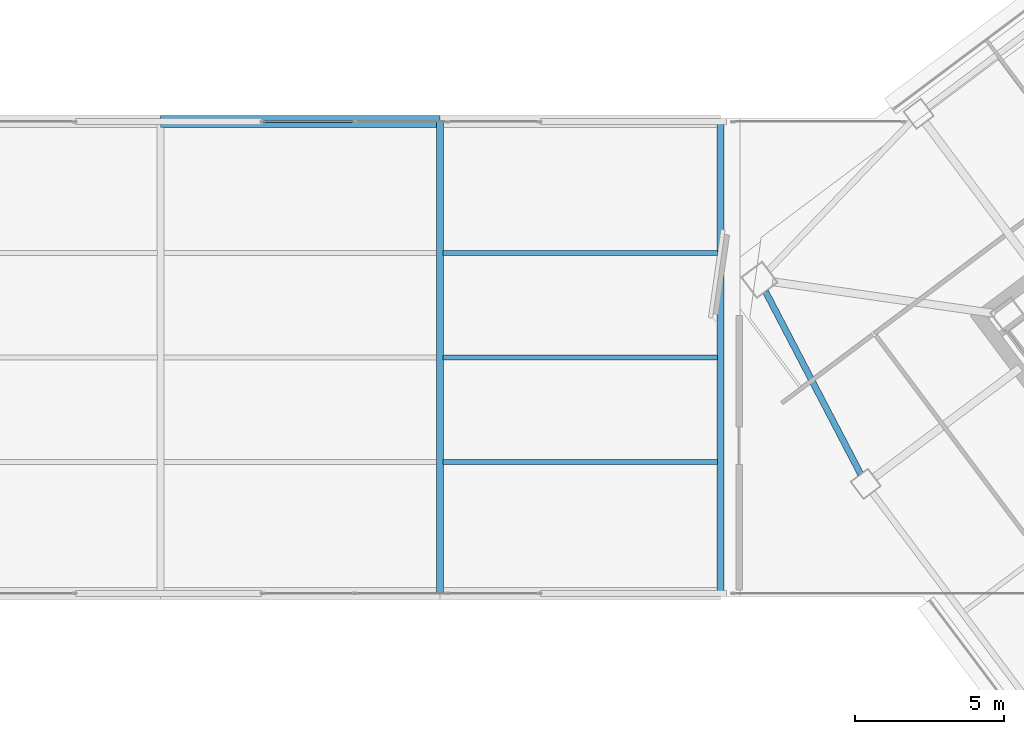
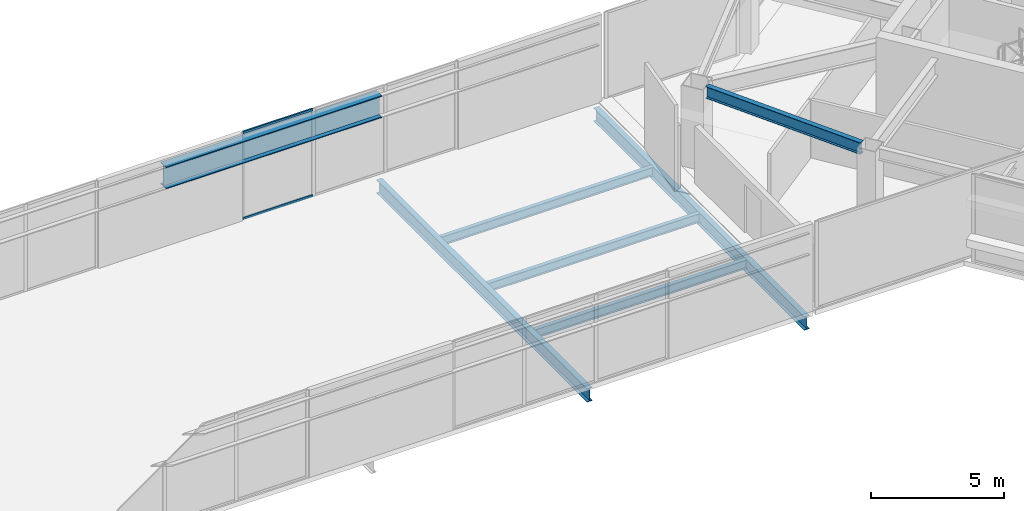
# One storey, part 25 of 51: 7 beams, 2 members, 1 element without a shape of its own.
"""IFC4 building model written with IfcOpenShell, lengths in metres."""

from ifc_helpers import new_model, si_unit, direction, frame, origin, origin_2d, place, context, subcontext, project, spatial, hollow_rectangle, i_section, extrude, material, material_profile, profile_set, type_object, element, aggregate, save


model = new_model("IFC4")

# Units and contexts
model_context = context("Model", 3, precision=1e-05, world=origin(), true_north=direction((0.0, 1.0)))
body_context = subcontext(model_context, "Body", "Model", "MODEL_VIEW")
ifc_project = project(units=[si_unit("LENGTHUNIT", "METRE"), si_unit("AREAUNIT", "SQUARE_METRE"), si_unit("VOLUMEUNIT", "CUBIC_METRE"), si_unit("PLANEANGLEUNIT", "RADIAN"), si_unit("MASSUNIT", "GRAM", prefix="KILO")], contexts=[model_context])

# Site, building, storey
site_placement = place(None, origin())
site = spatial("IfcSite", under=ifc_project, at=site_placement, CompositionType="ELEMENT")
building_placement = place(site_placement, origin())
building = spatial("IfcBuilding", under=site, at=building_placement, Name="Tashvorn Skyway Center", CompositionType="ELEMENT")
storey_placement = place(building_placement, frame((0.0, 0.0, 259.39990234375)))
storey = spatial("IfcBuildingStorey", under=building, at=storey_placement, Name="L70", CompositionType="ELEMENT", Elevation=259.39990234375)

# Beams
ifc_material_1 = material(Name="Steel ASTM A992 Grade 50", Category="steel")
ifc_material_profile_1 = material_profile(ifc_material_1, i_section(OverallWidth=0.22998046875, OverallDepth=0.616943359375, WebThickness=0.01318359375, FlangeThickness=0.022216796875, at=origin_2d()), Name="W24X94")
ifc_profile_set_1 = profile_set([ifc_material_profile_1], Name="Steel ASTM A992 Grade 50")
beam_type_1 = type_object("IfcBeamType", Name="BM-BEAM-W24X94", PredefinedType="BEAM", material=ifc_profile_set_1)
for number, where, z_axis, x_axis, name in (
    (1, (85.10009765625, 24.10009765625, -0.5283203125), (0.0, 1.0, 0.0), (-1.0, 0.0, 0.0), "Sky-Park L70 Transverse Floor Beam 09"),
    (2, (94.5, 24.10009765625, -0.5283203125), (0.0, 1.0, 0.0), (-1.0, 0.0, 0.0), "Sky-Park L70 Transverse Floor Beam 10"),
):
    element("IfcBeam", number, at=place(storey_placement, frame(where, z_axis=z_axis, x_axis=x_axis)), inside=storey, type_object=beam_type_1, Name=name, PredefinedType="BEAM", context=body_context, shape_type="SweptSolid", body=[
        extrude(i_section(OverallWidth=0.22998046875, OverallDepth=0.616943359375, WebThickness=0.01318359375, FlangeThickness=0.022216796875, at=origin_2d()), origin(), (0.0, 0.0, 1.0), 15.7998046875),
    ])
ifc_material_2 = material(Name="Steel ASTM A913 Grade 65", Category="steel")
ifc_material_profile_2 = material_profile(ifc_material_2, i_section(OverallWidth=0.40087890625, OverallDepth=1.010986328125, WebThickness=0.023681640625, FlangeThickness=0.0419921875, at=origin_2d()), Name="W40X297")
ifc_profile_set_2 = profile_set([ifc_material_profile_2], Name="Steel ASTM A913 Grade 65")
beam_type_2 = type_object("IfcBeamType", Name="BM-BEAM-W40X297", PredefinedType="BEAM", material=ifc_profile_set_2)
beam_1_placement = place(storey_placement, frame((75.75, 39.89990234375, 3.194580078125), z_axis=(1.0, 0.0, 0.0), x_axis=(0.0, 1.0, 0.0)))
element("IfcBeam", 3, at=beam_1_placement, inside=storey, type_object=beam_type_2, Name="Sky-Park Truss 2 Top Chord Panel 08", PredefinedType="BEAM", context=body_context, shape_type="SweptSolid", body=[
    extrude(i_section(OverallWidth=0.40087890625, OverallDepth=1.010986328125, WebThickness=0.023681640625, FlangeThickness=0.0419921875, at=origin_2d()), origin(), (0.0, 0.0, 1.0), 9.35009765625),
])
ifc_material_profile_3 = material_profile(ifc_material_1, i_section(OverallWidth=0.177978515625, OverallDepth=0.406005859375, WebThickness=0.0078125, FlangeThickness=0.0126953125, at=origin_2d()), Name="W16X40")
ifc_profile_set_3 = profile_set([ifc_material_profile_3], Name="Steel ASTM A992 Grade 50")
beam_type_3 = type_object("IfcBeamType", Name="BM-JOIST-W16X40", PredefinedType="JOIST", material=ifc_profile_set_3)
for number, where, z_axis, x_axis, name in (
    (4, (85.20703125, 28.5, -0.4228515625), (1.0, 0.0, 0.0), (0.0, 1.0, 0.0), "Sky-Park L70 Longitudinal Joist 09-1"),
    (5, (85.20703125, 32.0, -0.4228515625), (1.0, 0.0, 0.0), (0.0, 1.0, 0.0), "Sky-Park L70 Longitudinal Joist 09-2"),
    (6, (85.20703125, 35.5, -0.4228515625), (1.0, 0.0, 0.0), (0.0, 1.0, 0.0), "Sky-Park L70 Longitudinal Joist 09-3"),
):
    element("IfcBeam", number, at=place(storey_placement, frame(where, z_axis=z_axis, x_axis=x_axis)), inside=storey, type_object=beam_type_3, Name=name, PredefinedType="JOIST", context=body_context, shape_type="SweptSolid", body=[
        extrude(i_section(OverallWidth=0.177978515625, OverallDepth=0.406005859375, WebThickness=0.0078125, FlangeThickness=0.0126953125, at=origin_2d()), origin(), (0.0, 0.0, 1.0), 9.18603515625),
    ])
ifc_material_profile_4 = material_profile(ifc_material_1, i_section(OverallWidth=0.2109375, OverallDepth=0.5390625, WebThickness=0.01171875, FlangeThickness=0.018798828125, at=origin_2d()), Name="W21X73")
ifc_profile_set_4 = profile_set([ifc_material_profile_4], Name="Steel ASTM A992 Grade 50")
beam_type_4 = type_object("IfcBeamType", Name="BM-SPANDREL-W21X73", PredefinedType="SPANDREL", material=ifc_profile_set_4)
beam_2_placement = place(storey_placement, frame((96.005615234375, 34.205322265625, 3.4306640625), z_axis=(0.462223120187, -0.886763659136, 0.0), x_axis=(0.886763659136, 0.462223120187, 0.0)))
element("IfcBeam", 7, at=beam_2_placement, inside=storey, type_object=beam_type_4, Name="Tower 2 L70 Spandrel Beam 10", PredefinedType="SPANDREL", context=body_context, shape_type="SweptSolid", body=[
    extrude(i_section(OverallWidth=0.2109375, OverallDepth=0.5390625, WebThickness=0.01171875, FlangeThickness=0.018798828125, at=origin_2d()), origin(), (0.0, 0.0, 1.0), 6.886962890625),
])

# Curtain wall, members
ifc_material_3 = material(Name="Thermally broken bronze-anodized aluminium 6063-T6", Category="aluminium")
curtain_wall_type = type_object("IfcCurtainWallType", Name="CW-CW-SKY", PredefinedType="NOTDEFINED", material=ifc_material_3)
curtain_wall_placement = place(storey_placement, origin())
curtain_wall = element("IfcCurtainWall", 8, at=curtain_wall_placement, inside=storey, type_object=curtain_wall_type, Name="Sky-Park L70 Bridge North Curtain Wall Glazing Group 2", PredefinedType="NOTDEFINED")
ifc_material_profile_5 = material_profile(ifc_material_3, hollow_rectangle(XDim=0.06494140625, YDim=0.10498046875, WallThickness=0.00390625, at=origin_2d()), Name="ALU-TRAN-65x105")
ifc_profile_set_5 = profile_set([ifc_material_profile_5], Name="Thermally broken bronze-anodized aluminium 6063-T6")
member_type = type_object("IfcMemberType", Name="CWT-CW-SKY", PredefinedType="USERDEFINED", material=ifc_profile_set_5)
member_1_placement = place(storey_placement, frame((79.18994140625, 39.89990234375, 0.03271484375), z_axis=(1.0, 0.0, 0.0), x_axis=(0.0, 1.0, 0.0)))
member_1 = element("IfcMember", 9, at=member_1_placement, type_object=member_type, Name="CW-SKY transom 1.1", ObjectType="TRANSOM", PredefinedType="USERDEFINED", context=body_context, shape_type="SweptSolid", body=[
    extrude(hollow_rectangle(XDim=0.06494140625, YDim=0.10498046875, WallThickness=0.00390625, at=origin_2d()), origin(), (0.0, 0.0, 1.0), 3.017578125),
])
member_2_placement = place(storey_placement, frame((79.18994140625, 39.89990234375, 3.967529296875), z_axis=(1.0, 0.0, 0.0), x_axis=(0.0, 1.0, 0.0)))
member_2 = element("IfcMember", 10, at=member_2_placement, type_object=member_type, Name="CW-SKY transom 1.2", ObjectType="TRANSOM", PredefinedType="USERDEFINED", context=body_context, shape_type="SweptSolid", body=[
    extrude(hollow_rectangle(XDim=0.06494140625, YDim=0.10498046875, WallThickness=0.00390625, at=origin_2d()), origin(), (0.0, 0.0, 1.0), 3.017578125),
])
aggregate(curtain_wall, [member_1, member_2])

save(model, "model.ifc")
